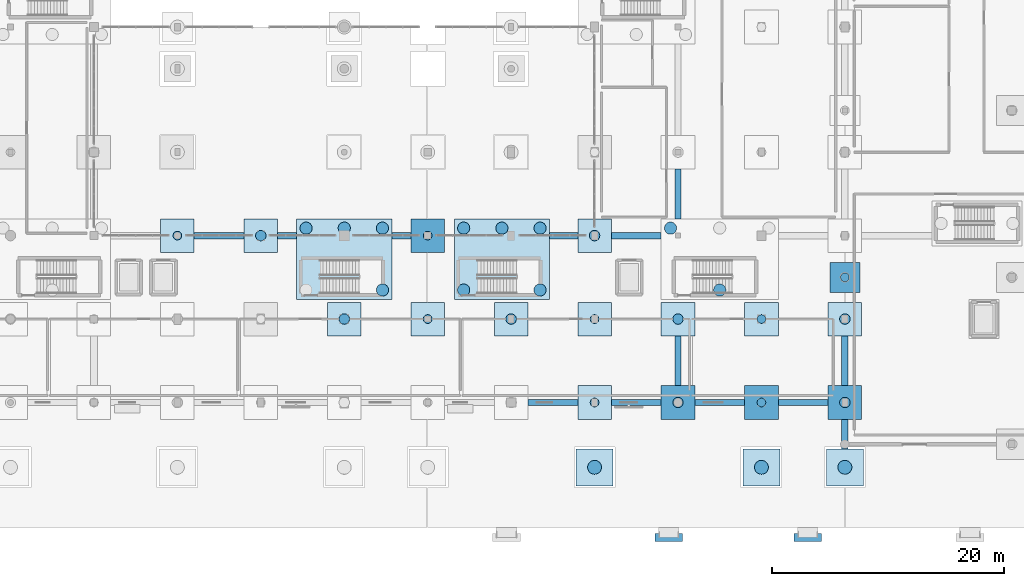
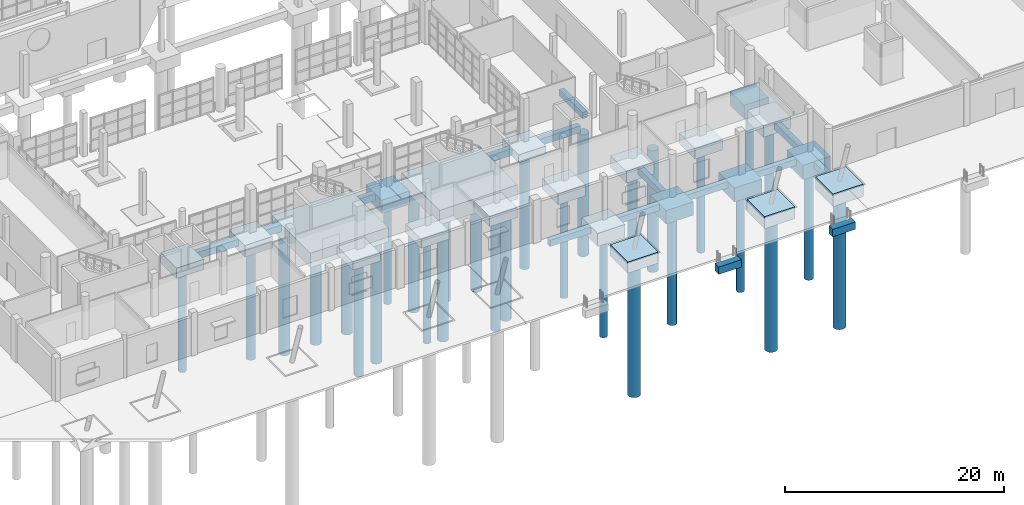
# One storey, part 6 of 285: 36 footings, 30 piles.
"""IFC4 building model written with IfcOpenShell, lengths in metres."""

from ifc_helpers import new_model, si_unit, direction, frame, origin, origin_2d, place, context, subcontext, project, spatial, polyline, circle, outline, extrude, material, material_profile, profile_set, type_object, element, save


model = new_model("IFC4")

# Units and contexts
model_context = context("Model", 3, precision=1e-05, world=origin(), true_north=direction((0.0, 1.0)))
body_context = subcontext(model_context, "Body", "Model", "MODEL_VIEW")
ifc_project = project(units=[si_unit("LENGTHUNIT", "METRE"), si_unit("AREAUNIT", "SQUARE_METRE"), si_unit("VOLUMEUNIT", "CUBIC_METRE"), si_unit("PLANEANGLEUNIT", "RADIAN"), si_unit("MASSUNIT", "GRAM", prefix="KILO")], contexts=[model_context])

# Site, building, storey
site_placement = place(None, origin())
site = spatial("IfcSite", under=ifc_project, at=site_placement, CompositionType="ELEMENT")
building_placement = place(site_placement, origin())
building = spatial("IfcBuilding", under=site, at=building_placement, Name="Solanera Park Tramway Depot", CompositionType="ELEMENT")
storey_placement = place(building_placement, origin())
storey = spatial("IfcBuildingStorey", under=building, at=storey_placement, Name="L00", CompositionType="ELEMENT", Elevation=0.0)

# Footings
ifc_material_1 = material(Name="Concrete N40 (C40/50)", Category="concrete")
footing_type_1 = type_object("IfcFootingType", Name="Bored Pile Cap PC-01 2300x2300x900", PredefinedType="PILE_CAP", material=ifc_material_1)
footing_1_placement = place(storey_placement, frame((0.0, 0.0, -1.25)))
element("IfcFooting", 1, at=footing_1_placement, inside=storey, type_object=footing_type_1, Name="Pile Cap PC-01 #036", PredefinedType="PILE_CAP", context=body_context, shape_type="SweptSolid", body=[
    extrude(outline(polyline([(145.449951171875, 16.550048828125), (145.449951171875, 19.449951171875), (142.550048828125, 19.449951171875), (142.550048828125, 16.550048828125), (145.449951171875, 16.550048828125)])), origin(), (0.0, 0.0, 1.0), 0.89990234375),
])
footing_2_placement = place(storey_placement, frame((0.0, 0.0, -1.25)))
element("IfcFooting", 2, at=footing_2_placement, inside=storey, type_object=footing_type_1, Name="Pile Cap PC-01 #054", PredefinedType="PILE_CAP", context=body_context, shape_type="SweptSolid", body=[
    extrude(outline(polyline([(167.050048828125, 23.75), (167.050048828125, 26.64990234375), (164.14990234375, 26.64990234375), (164.14990234375, 23.75), (167.050048828125, 23.75)])), origin(), (0.0, 0.0, 1.0), 0.89990234375),
])
ifc_material_2 = material(Name="Concrete N40 (C40/50)", Category="concrete")
footing_type_2 = type_object("IfcFootingType", Name="Bored Pile Cap PC-02 2600x2600x1000", PredefinedType="PILE_CAP", material=ifc_material_2)
footing_3_placement = place(storey_placement, frame((0.0, 0.0, -1.35009765625)))
element("IfcFooting", 3, at=footing_3_placement, inside=storey, type_object=footing_type_2, Name="Pile Cap PC-02 #037", PredefinedType="PILE_CAP", context=body_context, shape_type="SweptSolid", body=[
    extrude(outline(polyline([(152.64990234375, 16.550048828125), (152.64990234375, 19.449951171875), (149.75, 19.449951171875), (149.75, 16.550048828125), (152.64990234375, 16.550048828125)])), origin(), (0.0, 0.0, 1.0), 1.0),
])
ifc_material_3 = material(Name="Concrete N40 (C40/50)", Category="concrete")
footing_type_3 = type_object("IfcFootingType", Name="Bored Pile Cap PC-03 2900x2900x1100", PredefinedType="PILE_CAP", material=ifc_material_3)
footing_4_placement = place(storey_placement, frame((0.0, 0.0, -1.449951171875)))
element("IfcFooting", 4, at=footing_4_placement, inside=storey, type_object=footing_type_3, Name="Pile Cap PC-03 #038", PredefinedType="PILE_CAP", context=body_context, shape_type="SweptSolid", body=[
    extrude(outline(polyline([(159.85009765625, 16.550048828125), (159.85009765625, 19.449951171875), (156.949951171875, 19.449951171875), (156.949951171875, 16.550048828125), (159.85009765625, 16.550048828125)])), origin(), (0.0, 0.0, 1.0), 1.099853515625),
])
ifc_material_4 = material(Name="Concrete N40 (C40/50)", Category="concrete")
footing_type_4 = type_object("IfcFootingType", Name="Bored Pile Cap PC-04 3200x3200x1200", PredefinedType="PILE_CAP", material=ifc_material_4)
footing_5_placement = place(storey_placement, frame((0.0, 0.0, -1.550048828125)))
element("IfcFooting", 5, at=footing_5_placement, inside=storey, type_object=footing_type_4, Name="Pile Cap PC-04 #039", PredefinedType="PILE_CAP", context=body_context, shape_type="SweptSolid", body=[
    extrude(outline(polyline([(167.050048828125, 16.550048828125), (167.050048828125, 19.449951171875), (164.14990234375, 19.449951171875), (164.14990234375, 16.550048828125), (167.050048828125, 16.550048828125)])), origin(), (0.0, 0.0, 1.0), 1.199951171875),
])
ifc_material_5 = material(Name="Concrete N40 (C40/50)", Category="concrete")
footing_type_5 = type_object("IfcFootingType", Name="Bored Pile Cap PC-05 3500x3500x1300", PredefinedType="PILE_CAP", material=ifc_material_5)
footing_6_placement = place(storey_placement, frame((0.0, 0.0, -1.64990234375)))
element("IfcFooting", 6, at=footing_6_placement, inside=storey, type_object=footing_type_5, Name="Pile Cap PC-05 #040", PredefinedType="PILE_CAP", context=body_context, shape_type="SweptSolid", body=[
    extrude(outline(polyline([(174.25, 16.550048828125), (174.25, 19.449951171875), (171.35009765625, 19.449951171875), (171.35009765625, 16.550048828125), (174.25, 16.550048828125)])), origin(), (0.0, 0.0, 1.0), 1.2998046875),
])
ifc_material_6 = material(Name="Concrete N40 (C40/50)", Category="concrete")
footing_type_6 = type_object("IfcFootingType", Name="Bored Pile Cap PC-06 3800x2600x1150", PredefinedType="PILE_CAP", material=ifc_material_6)
footing_7_placement = place(storey_placement, frame((0.0, 0.0, -1.5)))
element("IfcFooting", 7, at=footing_7_placement, inside=storey, type_object=footing_type_6, Name="Pile Cap PC-06 #041", PredefinedType="PILE_CAP", context=body_context, shape_type="SweptSolid", body=[
    extrude(outline(polyline([(181.449951171875, 16.550048828125), (181.449951171875, 19.449951171875), (178.550048828125, 19.449951171875), (178.550048828125, 16.550048828125), (181.449951171875, 16.550048828125)])), origin(), (0.0, 0.0, 1.0), 1.14990234375),
])
ifc_material_7 = material(Name="Concrete N40 (C40/50)", Category="concrete")
footing_type_7 = type_object("IfcFootingType", Name="Bored Pile Cap PC-07 4200x2900x1250", PredefinedType="PILE_CAP", material=ifc_material_7)
footing_8_placement = place(storey_placement, frame((0.0, 0.0, -1.25)))
element("IfcFooting", 8, at=footing_8_placement, inside=storey, type_object=footing_type_7, Name="Pile Cap PC-07 #006", PredefinedType="PILE_CAP", context=body_context, shape_type="SweptSolid", body=[
    extrude(outline(polyline([(167.199951171875, 3.60693359375), (167.199951171875, 6.806884765625), (164.0, 6.806884765625), (164.0, 3.60693359375), (167.199951171875, 3.60693359375)])), origin(), (0.0, 0.0, 1.0), 1.25),
])
footing_9_placement = place(storey_placement, frame((0.0, 0.0, -1.60009765625)))
element("IfcFooting", 9, at=footing_9_placement, inside=storey, type_object=footing_type_7, Name="Pile Cap PC-07 #042", PredefinedType="PILE_CAP", context=body_context, shape_type="SweptSolid", body=[
    extrude(outline(polyline([(188.64990234375, 16.550048828125), (188.64990234375, 19.449951171875), (185.75, 19.449951171875), (185.75, 16.550048828125), (188.64990234375, 16.550048828125)])), origin(), (0.0, 0.0, 1.0), 1.25),
])
ifc_material_8 = material(Name="Concrete N40 (C40/50)", Category="concrete")
footing_type_8 = type_object("IfcFootingType", Name="Bored Pile Cap PC-08 4600x3200x1350", PredefinedType="PILE_CAP", material=ifc_material_8)
footing_10_placement = place(storey_placement, frame((0.0, 0.0, -1.35009765625)))
element("IfcFooting", 10, at=footing_10_placement, inside=storey, type_object=footing_type_8, Name="Pile Cap PC-08 #007", PredefinedType="PILE_CAP", context=body_context, shape_type="SweptSolid", body=[
    extrude(outline(polyline([(181.60009765625, 3.60693359375), (181.60009765625, 6.806884765625), (178.39990234375, 6.806884765625), (178.39990234375, 3.60693359375), (181.60009765625, 3.60693359375)])), origin(), (0.0, 0.0, 1.0), 1.35009765625),
])
ifc_material_9 = material(Name="Concrete N40 (C40/50)", Category="concrete")
footing_type_9 = type_object("IfcFootingType", Name="Bored Pile Cap PC-09 5200x3400x1400", PredefinedType="PILE_CAP", material=ifc_material_9)
footing_11_placement = place(storey_placement, frame((0.0, 0.0, -1.39990234375)))
element("IfcFooting", 11, at=footing_11_placement, inside=storey, type_object=footing_type_9, Name="Pile Cap PC-09 #008", PredefinedType="PILE_CAP", context=body_context, shape_type="SweptSolid", body=[
    extrude(outline(polyline([(188.800048828125, 3.60693359375), (188.800048828125, 6.806884765625), (185.60009765625, 6.806884765625), (185.60009765625, 3.60693359375), (188.800048828125, 3.60693359375)])), origin(), (0.0, 0.0, 1.0), 1.39990234375),
])
ifc_material_10 = material(Name="Concrete N40 (C40/50)", Category="concrete")
footing_type_10 = type_object("IfcFootingType", Name="Bored Pile Cap PC-10 5800x3800x1450", PredefinedType="PILE_CAP", material=ifc_material_10)
footing_12_placement = place(storey_placement, frame((0.0, 0.0, -1.800048828125)))
element("IfcFooting", 12, at=footing_12_placement, inside=storey, type_object=footing_type_10, Name="Pile Cap PC-10 #027", PredefinedType="PILE_CAP", context=body_context, shape_type="SweptSolid", body=[
    extrude(outline(polyline([(167.050048828125, 9.35009765625), (167.050048828125, 12.25), (164.14990234375, 12.25), (164.14990234375, 9.35009765625), (167.050048828125, 9.35009765625)])), origin(), (0.0, 0.0, 1.0), 1.449951171875),
])
ifc_material_11 = material(Name="Concrete N40 (C40/50)", Category="concrete")
footing_type_11 = type_object("IfcFootingType", Name="Bored Pile Cap PC-11 6500x4200x1500", PredefinedType="PILE_CAP", material=ifc_material_11)
footing_13_placement = place(storey_placement, frame((0.0, 0.0, -1.85009765625)))
element("IfcFooting", 13, at=footing_13_placement, inside=storey, type_object=footing_type_11, Name="Pile Cap PC-11 #028", PredefinedType="PILE_CAP", context=body_context, shape_type="SweptSolid", body=[
    extrude(outline(polyline([(174.25, 9.35009765625), (174.25, 12.25), (171.35009765625, 12.25), (171.35009765625, 9.35009765625), (174.25, 9.35009765625)])), origin(), (0.0, 0.0, 1.0), 1.5),
])
ifc_material_12 = material(Name="Concrete N40 (C40/50)", Category="concrete")
footing_type_12 = type_object("IfcFootingType", Name="Bored Pile Cap PC-12 7400x4500x1550", PredefinedType="PILE_CAP", material=ifc_material_12)
footing_14_placement = place(storey_placement, frame((0.0, 0.0, -1.89990234375)))
element("IfcFooting", 14, at=footing_14_placement, inside=storey, type_object=footing_type_12, Name="Pile Cap PC-12 #029", PredefinedType="PILE_CAP", context=body_context, shape_type="SweptSolid", body=[
    extrude(outline(polyline([(181.449951171875, 9.35009765625), (181.449951171875, 12.25), (178.550048828125, 12.25), (178.550048828125, 9.35009765625), (181.449951171875, 9.35009765625)])), origin(), (0.0, 0.0, 1.0), 1.5498046875),
])
footing_15_placement = place(storey_placement, frame((0.0, 0.0, -1.89990234375)))
element("IfcFooting", 15, at=footing_15_placement, inside=storey, type_object=footing_type_12, Name="Pile Cap PC-12 #047", PredefinedType="PILE_CAP", context=body_context, shape_type="SweptSolid", body=[
    extrude(outline(polyline([(188.5, 20.300048828125), (188.5, 22.89990234375), (185.89990234375, 22.89990234375), (185.89990234375, 20.300048828125), (188.5, 20.300048828125)])), origin(), (0.0, 0.0, 1.0), 1.5498046875),
])
ifc_material_13 = material(Name="Concrete N40 (C40/50)", Category="concrete")
footing_type_13 = type_object("IfcFootingType", Name="Bored Pile Cap PC-13 8400x4800x1600", PredefinedType="PILE_CAP", material=ifc_material_13)
footing_16_placement = place(storey_placement, frame((0.0, 0.0, -1.949951171875)))
element("IfcFooting", 16, at=footing_16_placement, inside=storey, type_object=footing_type_13, Name="Pile Cap PC-13 #030", PredefinedType="PILE_CAP", context=body_context, shape_type="SweptSolid", body=[
    extrude(outline(polyline([(188.64990234375, 9.35009765625), (188.64990234375, 12.25), (185.75, 12.25), (185.75, 9.35009765625), (188.64990234375, 9.35009765625)])), origin(), (0.0, 0.0, 1.0), 1.599853515625),
])
footing_17_placement = place(storey_placement, frame((0.0, 0.0, -1.949951171875)))
element("IfcFooting", 17, at=footing_17_placement, inside=storey, type_object=footing_type_13, Name="Pile Cap PC-13 #044", PredefinedType="PILE_CAP", context=body_context, shape_type="SweptSolid", body=[
    extrude(outline(polyline([(148.10107421875, 19.699951171875), (148.10107421875, 26.64990234375), (139.89990234375, 26.64990234375), (139.89990234375, 19.699951171875), (148.10107421875, 19.699951171875)])), origin(), (0.0, 0.0, 1.0), 1.599853515625),
])
footing_18_placement = place(storey_placement, frame((0.0, 0.0, -1.949951171875)))
element("IfcFooting", 18, at=footing_18_placement, inside=storey, type_object=footing_type_13, Name="Pile Cap PC-13 #045", PredefinedType="PILE_CAP", context=body_context, shape_type="SweptSolid", body=[
    extrude(outline(polyline([(161.700927734375, 19.699951171875), (161.700927734375, 26.64990234375), (153.5, 26.64990234375), (153.5, 19.699951171875), (161.700927734375, 19.699951171875)])), origin(), (0.0, 0.0, 1.0), 1.599853515625),
])
ifc_material_14 = material(Name="Concrete N40 (C40/50)", Category="concrete")
footing_type_14 = type_object("IfcFootingType", Name="Bored Pile Cap PC-16 3050x3050x1150", PredefinedType="PILE_CAP", material=ifc_material_14)
footing_19_placement = place(storey_placement, frame((0.0, 0.0, -1.5)))
element("IfcFooting", 19, at=footing_19_placement, inside=storey, type_object=footing_type_14, Name="Pile Cap PC-16 #051", PredefinedType="PILE_CAP", context=body_context, shape_type="SweptSolid", body=[
    extrude(outline(polyline([(131.050048828125, 23.75), (131.050048828125, 26.64990234375), (128.14990234375, 26.64990234375), (128.14990234375, 23.75), (131.050048828125, 23.75)])), origin(), (0.0, 0.0, 1.0), 1.14990234375),
])
ifc_material_15 = material(Name="Concrete N40 (C40/50)", Category="concrete")
footing_type_15 = type_object("IfcFootingType", Name="Bored Pile Cap PC-17 4900x3100x1300", PredefinedType="PILE_CAP", material=ifc_material_15)
footing_20_placement = place(storey_placement, frame((0.0, 0.0, -1.64990234375)))
element("IfcFooting", 20, at=footing_20_placement, inside=storey, type_object=footing_type_15, Name="Pile Cap PC-17 #052", PredefinedType="PILE_CAP", context=body_context, shape_type="SweptSolid", body=[
    extrude(outline(polyline([(138.25, 23.75), (138.25, 26.64990234375), (135.35009765625, 26.64990234375), (135.35009765625, 23.75), (138.25, 23.75)])), origin(), (0.0, 0.0, 1.0), 1.2998046875),
])
ifc_material_16 = material(Name="Concrete N40 (C40/50)", Category="concrete")
footing_type_16 = type_object("IfcFootingType", Name="Bored Pile Cap PC-18 6200x3900x1480", PredefinedType="PILE_CAP", material=ifc_material_16)
footing_21_placement = place(storey_placement, frame((0.0, 0.0, -1.830078125)))
element("IfcFooting", 21, at=footing_21_placement, inside=storey, type_object=footing_type_16, Name="Pile Cap PC-18 #053", PredefinedType="PILE_CAP", context=body_context, shape_type="SweptSolid", body=[
    extrude(outline(polyline([(152.64990234375, 23.75), (152.64990234375, 26.64990234375), (149.75, 26.64990234375), (149.75, 23.75), (152.64990234375, 23.75)])), origin(), (0.0, 0.0, 1.0), 1.47998046875),
])
ifc_material_17 = material(Name="Concrete N40 (C40/50)", Category="concrete")
footing_type_17 = type_object("IfcFootingType", Name="Equipment Pad Footing PF-03 2400x1800x800", PredefinedType="PAD_FOOTING", material=ifc_material_17)
footing_22_placement = place(storey_placement, frame((0.0, 0.0, -0.860107421875)))
element("IfcFooting", 22, at=footing_22_placement, inside=storey, type_object=footing_type_17, Name="Ramp Toe Pad Footing RMP-P04", PredefinedType="PAD_FOOTING", context=body_context, shape_type="SweptSolid", body=[
    extrude(outline(polyline([(170.800048828125, -1.18994140625), (173.199951171875, -1.18994140625), (173.199951171875, -0.489990234375), (170.800048828125, -0.489990234375), (170.800048828125, -1.18994140625)])), origin(), (0.0, 0.0, 1.0), 0.820068359375),
])
footing_23_placement = place(storey_placement, frame((0.0, 0.0, -0.860107421875)))
element("IfcFooting", 23, at=footing_23_placement, inside=storey, type_object=footing_type_17, Name="Ramp Toe Pad Footing RMP-P05", PredefinedType="PAD_FOOTING", context=body_context, shape_type="SweptSolid", body=[
    extrude(outline(polyline([(182.800048828125, -1.18994140625), (185.199951171875, -1.18994140625), (185.199951171875, -0.489990234375), (182.800048828125, -0.489990234375), (182.800048828125, -1.18994140625)])), origin(), (0.0, 0.0, 1.0), 0.820068359375),
])
ifc_material_18 = material(Name="Concrete N40 (C40/50)", Category="concrete")
footing_type_18 = type_object("IfcFootingType", Name="Ground Tie Beam GB-01 500x700", PredefinedType="FOOTING_BEAM", material=ifc_material_18)
footing_24_placement = place(storey_placement, frame((0.0, 0.0, -1.050048828125)))
element("IfcFooting", 24, at=footing_24_placement, inside=storey, type_object=footing_type_18, Name="Ground Tie Beam GB-01 #015", PredefinedType="FOOTING_BEAM", context=body_context, shape_type="SweptSolid", body=[
    extrude(outline(polyline([(164.14990234375, 10.550048828125), (164.14990234375, 11.050048828125), (159.85009765625, 11.050048828125), (159.85009765625, 10.550048828125), (164.14990234375, 10.550048828125)])), origin(), (0.0, 0.0, 1.0), 0.699951171875),
])
footing_25_placement = place(storey_placement, frame((0.0, 0.0, -1.050048828125)))
element("IfcFooting", 25, at=footing_25_placement, inside=storey, type_object=footing_type_18, Name="Ground Tie Beam GB-01 #016", PredefinedType="FOOTING_BEAM", context=body_context, shape_type="SweptSolid", body=[
    extrude(outline(polyline([(171.35009765625, 10.550048828125), (171.35009765625, 11.050048828125), (167.050048828125, 11.050048828125), (167.050048828125, 10.550048828125), (171.35009765625, 10.550048828125)])), origin(), (0.0, 0.0, 1.0), 0.699951171875),
])
footing_26_placement = place(storey_placement, frame((0.0, 0.0, -1.050048828125)))
element("IfcFooting", 26, at=footing_26_placement, inside=storey, type_object=footing_type_18, Name="Ground Tie Beam GB-01 #017", PredefinedType="FOOTING_BEAM", context=body_context, shape_type="SweptSolid", body=[
    extrude(outline(polyline([(178.550048828125, 10.550048828125), (178.550048828125, 11.050048828125), (174.25, 11.050048828125), (174.25, 10.550048828125), (178.550048828125, 10.550048828125)])), origin(), (0.0, 0.0, 1.0), 0.699951171875),
])
footing_27_placement = place(storey_placement, frame((0.0, 0.0, -1.050048828125)))
element("IfcFooting", 27, at=footing_27_placement, inside=storey, type_object=footing_type_18, Name="Ground Tie Beam GB-01 #018", PredefinedType="FOOTING_BEAM", context=body_context, shape_type="SweptSolid", body=[
    extrude(outline(polyline([(185.75, 10.550048828125), (185.75, 11.050048828125), (181.449951171875, 11.050048828125), (181.449951171875, 10.550048828125), (185.75, 10.550048828125)])), origin(), (0.0, 0.0, 1.0), 0.699951171875),
])
footing_28_placement = place(storey_placement, frame((0.0, 0.0, -1.050048828125)))
element("IfcFooting", 28, at=footing_28_placement, inside=storey, type_object=footing_type_18, Name="Ground Tie Beam GB-01 #134", PredefinedType="FOOTING_BEAM", context=body_context, shape_type="SweptSolid", body=[
    extrude(outline(polyline([(173.050048828125, 12.25), (173.050048828125, 16.550048828125), (172.550048828125, 16.550048828125), (172.550048828125, 12.25), (173.050048828125, 12.25)])), origin(), (0.0, 0.0, 1.0), 0.699951171875),
])
footing_29_placement = place(storey_placement, frame((0.0, 0.0, -1.050048828125)))
element("IfcFooting", 29, at=footing_29_placement, inside=storey, type_object=footing_type_18, Name="Ground Tie Beam GB-01 #135", PredefinedType="FOOTING_BEAM", context=body_context, shape_type="SweptSolid", body=[
    extrude(outline(polyline([(173.050048828125, 26.64990234375), (173.050048828125, 30.949951171875), (172.550048828125, 30.949951171875), (172.550048828125, 26.64990234375), (173.050048828125, 26.64990234375)])), origin(), (0.0, 0.0, 1.0), 0.699951171875),
])
ifc_material_19 = material(Name="Concrete N40 (C40/50)", Category="concrete")
footing_type_19 = type_object("IfcFootingType", Name="Ground Tie Beam GB-02 550x750", PredefinedType="FOOTING_BEAM", material=ifc_material_19)
footing_30_placement = place(storey_placement, frame((0.0, 0.0, -1.10009765625)))
element("IfcFooting", 30, at=footing_30_placement, inside=storey, type_object=footing_type_19, Name="Ground Tie Beam GB-02 #021", PredefinedType="FOOTING_BEAM", context=body_context, shape_type="SweptSolid", body=[
    extrude(outline(polyline([(135.35009765625, 24.925048828125), (135.35009765625, 25.47509765625), (131.050048828125, 25.47509765625), (131.050048828125, 24.925048828125), (135.35009765625, 24.925048828125)])), origin(), (0.0, 0.0, 1.0), 0.75),
])
footing_31_placement = place(storey_placement, frame((0.0, 0.0, -1.10009765625)))
element("IfcFooting", 31, at=footing_31_placement, inside=storey, type_object=footing_type_19, Name="Ground Tie Beam GB-02 #022", PredefinedType="FOOTING_BEAM", context=body_context, shape_type="SweptSolid", body=[
    extrude(outline(polyline([(139.89990234375, 24.925048828125), (139.89990234375, 25.47509765625), (138.25, 25.47509765625), (138.25, 24.925048828125), (139.89990234375, 24.925048828125)])), origin(), (0.0, 0.0, 1.0), 0.75),
])
footing_32_placement = place(storey_placement, frame((0.0, 0.0, -1.10009765625)))
element("IfcFooting", 32, at=footing_32_placement, inside=storey, type_object=footing_type_19, Name="Ground Tie Beam GB-02 #023", PredefinedType="FOOTING_BEAM", context=body_context, shape_type="SweptSolid", body=[
    extrude(outline(polyline([(149.75, 24.925048828125), (149.75, 25.47509765625), (148.10107421875, 25.47509765625), (148.10107421875, 24.925048828125), (149.75, 24.925048828125)])), origin(), (0.0, 0.0, 1.0), 0.75),
])
footing_33_placement = place(storey_placement, frame((0.0, 0.0, -1.10009765625)))
element("IfcFooting", 33, at=footing_33_placement, inside=storey, type_object=footing_type_19, Name="Ground Tie Beam GB-02 #024", PredefinedType="FOOTING_BEAM", context=body_context, shape_type="SweptSolid", body=[
    extrude(outline(polyline([(164.14990234375, 24.925048828125), (164.14990234375, 25.47509765625), (161.700927734375, 25.47509765625), (161.700927734375, 24.925048828125), (164.14990234375, 24.925048828125)])), origin(), (0.0, 0.0, 1.0), 0.75),
])
footing_34_placement = place(storey_placement, frame((0.0, 0.0, -1.10009765625)))
element("IfcFooting", 34, at=footing_34_placement, inside=storey, type_object=footing_type_19, Name="Ground Tie Beam GB-02 #025", PredefinedType="FOOTING_BEAM", context=body_context, shape_type="SweptSolid", body=[
    extrude(outline(polyline([(171.35009765625, 24.925048828125), (171.35009765625, 25.47509765625), (167.050048828125, 25.47509765625), (167.050048828125, 24.925048828125), (171.35009765625, 24.925048828125)])), origin(), (0.0, 0.0, 1.0), 0.75),
])
footing_35_placement = place(storey_placement, frame((0.0, 0.0, -1.10009765625)))
element("IfcFooting", 35, at=footing_35_placement, inside=storey, type_object=footing_type_19, Name="Ground Tie Beam GB-02 #141", PredefinedType="FOOTING_BEAM", context=body_context, shape_type="SweptSolid", body=[
    extrude(outline(polyline([(187.47509765625, 6.806884765625), (187.47509765625, 9.35009765625), (186.925048828125, 9.35009765625), (186.925048828125, 6.806884765625), (187.47509765625, 6.806884765625)])), origin(), (0.0, 0.0, 1.0), 0.75),
])
footing_36_placement = place(storey_placement, frame((0.0, 0.0, -1.10009765625)))
element("IfcFooting", 36, at=footing_36_placement, inside=storey, type_object=footing_type_19, Name="Ground Tie Beam GB-02 #142", PredefinedType="FOOTING_BEAM", context=body_context, shape_type="SweptSolid", body=[
    extrude(outline(polyline([(187.47509765625, 12.25), (187.47509765625, 16.550048828125), (186.925048828125, 16.550048828125), (186.925048828125, 12.25), (187.47509765625, 12.25)])), origin(), (0.0, 0.0, 1.0), 0.75),
])

# Piles
ifc_material_20 = material(Name="Concrete N40 (C40/50)", Category="concrete")
ifc_material_profile_1 = material_profile(ifc_material_20, circle(Radius=0.52490234375, at=origin_2d()), Name="BORED PILE 1050")
ifc_profile_set_1 = profile_set([ifc_material_profile_1], Name="Concrete N40 (C40/50)")
pile_type_1 = type_object("IfcPileType", Name="Rock Socketed BORED PILE 1050", PredefinedType="BORED", material=ifc_profile_set_1)
for number, where, z_axis, x_axis, name in (
    (37, (140.705078125, 25.844970703125, -1.85009765625), (0.0, 0.0, -1.0), (1.0, 0.0, 0.0), "Bored Pile BORED PILE 1050 #0060"),
    (38, (144.00048828125, 25.844970703125, -1.85009765625), (0.0, 0.0, -1.0), (1.0, 0.0, 0.0), "Bored Pile BORED PILE 1050 #0061"),
    (39, (147.2958984375, 20.5048828125, -1.85009765625), (0.0, 0.0, -1.0), (1.0, 0.0, 0.0), "Bored Pile BORED PILE 1050 #0062"),
    (40, (147.2958984375, 25.844970703125, -1.85009765625), (0.0, 0.0, -1.0), (1.0, 0.0, 0.0), "Bored Pile BORED PILE 1050 #0063"),
    (41, (154.304931640625, 20.5048828125, -1.85009765625), (0.0, 0.0, -1.0), (1.0, 0.0, 0.0), "Bored Pile BORED PILE 1050 #0064"),
    (42, (154.304931640625, 25.844970703125, -1.85009765625), (0.0, 0.0, -1.0), (1.0, 0.0, 0.0), "Bored Pile BORED PILE 1050 #0065"),
    (43, (157.6005859375, 25.844970703125, -1.85009765625), (0.0, 0.0, -1.0), (1.0, 0.0, 0.0), "Bored Pile BORED PILE 1050 #0066"),
    (44, (160.89599609375, 20.5048828125, -1.85009765625), (0.0, 0.0, -1.0), (1.0, 0.0, 0.0), "Bored Pile BORED PILE 1050 #0067"),
    (45, (160.89599609375, 25.844970703125, -1.85009765625), (0.0, 0.0, -1.0), (1.0, 0.0, 0.0), "Bored Pile BORED PILE 1050 #0068"),
    (46, (172.155029296875, 25.844970703125, -1.85009765625), (0.0, 0.0, -1.0), (1.0, 0.0, 0.0), "Bored Pile BORED PILE 1050 #0069"),
    (47, (176.39990234375, 20.5048828125, -1.85009765625), (0.0, 0.0, -1.0), (1.0, 0.0, 0.0), "Bored Pile BORED PILE 1050 #0070"),
):
    element("IfcPile", number, at=place(storey_placement, frame(where, z_axis=z_axis, x_axis=x_axis)), inside=storey, type_object=pile_type_1, Name=name, PredefinedType="BORED", context=body_context, shape_type="SweptSolid", body=[
        extrude(circle(Radius=0.52490234375, at=origin_2d()), origin(), (0.0, 0.0, 1.0), 13.550048828125),
    ])
ifc_material_21 = material(Name="Concrete N50 (C50/60)", Category="concrete")
ifc_material_profile_2 = material_profile(ifc_material_21, circle(Radius=0.60009765625, at=origin_2d()), Name="BORED PILE 1200")
ifc_profile_set_2 = profile_set([ifc_material_profile_2], Name="Concrete N50 (C50/60)")
pile_type_2 = type_object("IfcPileType", Name="Rock Socketed BORED PILE 1200", PredefinedType="BORED", material=ifc_profile_set_2)
pile_1_placement = place(storey_placement, frame((165.60009765625, 5.20703125, -1.14990234375), z_axis=(0.0, 0.0, -1.0), x_axis=(1.0, 0.0, 0.0)))
element("IfcPile", 48, at=pile_1_placement, inside=storey, type_object=pile_type_2, Name="Bored Pile BORED PILE 1200 #0006", PredefinedType="BORED", context=body_context, shape_type="SweptSolid", body=[
    extrude(circle(Radius=0.60009765625, at=origin_2d()), origin(), (0.0, 0.0, 1.0), 15.050048828125),
])
pile_2_placement = place(storey_placement, frame((180.0, 5.20703125, -1.25), z_axis=(0.0, 0.0, -1.0), x_axis=(1.0, 0.0, 0.0)))
element("IfcPile", 49, at=pile_2_placement, inside=storey, type_object=pile_type_2, Name="Bored Pile BORED PILE 1200 #0007", PredefinedType="BORED", context=body_context, shape_type="SweptSolid", body=[
    extrude(circle(Radius=0.60009765625, at=origin_2d()), origin(), (0.0, 0.0, 1.0), 14.949951171875),
])
pile_3_placement = place(storey_placement, frame((187.199951171875, 5.20703125, -1.300048828125), z_axis=(0.0, 0.0, -1.0), x_axis=(1.0, 0.0, 0.0)))
element("IfcPile", 50, at=pile_3_placement, inside=storey, type_object=pile_type_2, Name="Bored Pile BORED PILE 1200 #0008", PredefinedType="BORED", context=body_context, shape_type="SweptSolid", body=[
    extrude(circle(Radius=0.60009765625, at=origin_2d()), origin(), (0.0, 0.0, 1.0), 14.89990234375),
])
ifc_material_22 = material(Name="Concrete N40 (C40/50)", Category="concrete")
ifc_material_profile_3 = material_profile(ifc_material_22, circle(Radius=0.375, at=origin_2d()), Name="BORED PILE 750")
ifc_profile_set_3 = profile_set([ifc_material_profile_3], Name="Concrete N40 (C40/50)")
pile_type_3 = type_object("IfcPileType", Name="Rock Socketed BORED PILE 750", PredefinedType="BORED", material=ifc_profile_set_3)
pile_4_placement = place(storey_placement, frame((165.60009765625, 10.800048828125, -1.699951171875), z_axis=(0.0, 0.0, -1.0), x_axis=(1.0, 0.0, 0.0)))
element("IfcPile", 51, at=pile_4_placement, inside=storey, type_object=pile_type_3, Name="Bored Pile BORED PILE 750 #0039", PredefinedType="BORED", context=body_context, shape_type="SweptSolid", body=[
    extrude(circle(Radius=0.375, at=origin_2d()), origin(), (0.0, 0.0, 1.0), 11.39990234375),
])
pile_5_placement = place(storey_placement, frame((180.0, 10.800048828125, -1.800048828125), z_axis=(0.0, 0.0, -1.0), x_axis=(1.0, 0.0, 0.0)))
element("IfcPile", 52, at=pile_5_placement, inside=storey, type_object=pile_type_3, Name="Bored Pile BORED PILE 750 #0041", PredefinedType="BORED", context=body_context, shape_type="SweptSolid", body=[
    extrude(circle(Radius=0.375, at=origin_2d()), origin(), (0.0, 0.0, 1.0), 11.300048828125),
])
pile_6_placement = place(storey_placement, frame((151.199951171875, 18.0, -1.25), z_axis=(0.0, 0.0, -1.0), x_axis=(1.0, 0.0, 0.0)))
element("IfcPile", 53, at=pile_6_placement, inside=storey, type_object=pile_type_3, Name="Bored Pile BORED PILE 750 #0049", PredefinedType="BORED", context=body_context, shape_type="SweptSolid", body=[
    extrude(circle(Radius=0.375, at=origin_2d()), origin(), (0.0, 0.0, 1.0), 11.85009765625),
])
pile_7_placement = place(storey_placement, frame((165.60009765625, 18.0, -1.449951171875), z_axis=(0.0, 0.0, -1.0), x_axis=(1.0, 0.0, 0.0)))
element("IfcPile", 54, at=pile_7_placement, inside=storey, type_object=pile_type_3, Name="Bored Pile BORED PILE 750 #0051", PredefinedType="BORED", context=body_context, shape_type="SweptSolid", body=[
    extrude(circle(Radius=0.375, at=origin_2d()), origin(), (0.0, 0.0, 1.0), 11.64990234375),
])
pile_8_placement = place(storey_placement, frame((180.0, 18.0, -1.39990234375), z_axis=(0.0, 0.0, -1.0), x_axis=(1.0, 0.0, 0.0)))
element("IfcPile", 55, at=pile_8_placement, inside=storey, type_object=pile_type_3, Name="Bored Pile BORED PILE 750 #0053", PredefinedType="BORED", context=body_context, shape_type="SweptSolid", body=[
    extrude(circle(Radius=0.375, at=origin_2d()), origin(), (0.0, 0.0, 1.0), 11.699951171875),
])
pile_9_placement = place(storey_placement, frame((187.199951171875, 21.60009765625, -1.800048828125), z_axis=(0.0, 0.0, -1.0), x_axis=(1.0, 0.0, 0.0)))
element("IfcPile", 56, at=pile_9_placement, inside=storey, type_object=pile_type_3, Name="Bored Pile BORED PILE 750 #0073", PredefinedType="BORED", context=body_context, shape_type="SweptSolid", body=[
    extrude(circle(Radius=0.375, at=origin_2d()), origin(), (0.0, 0.0, 1.0), 11.300048828125),
])
pile_10_placement = place(storey_placement, frame((129.60009765625, 25.199951171875, -1.39990234375), z_axis=(0.0, 0.0, -1.0), x_axis=(1.0, 0.0, 0.0)))
element("IfcPile", 57, at=pile_10_placement, inside=storey, type_object=pile_type_3, Name="Bored Pile BORED PILE 750 #0077", PredefinedType="BORED", context=body_context, shape_type="SweptSolid", body=[
    extrude(circle(Radius=0.375, at=origin_2d()), origin(), (0.0, 0.0, 1.0), 11.699951171875),
])
pile_11_placement = place(storey_placement, frame((151.199951171875, 25.199951171875, -1.72998046875), z_axis=(0.0, 0.0, -1.0), x_axis=(1.0, 0.0, 0.0)))
element("IfcPile", 58, at=pile_11_placement, inside=storey, type_object=pile_type_3, Name="Bored Pile BORED PILE 750 #0079", PredefinedType="BORED", context=body_context, shape_type="SweptSolid", body=[
    extrude(circle(Radius=0.375, at=origin_2d()), origin(), (0.0, 0.0, 1.0), 11.3701171875),
])
ifc_material_23 = material(Name="Concrete N40 (C40/50)", Category="concrete")
ifc_material_profile_4 = material_profile(ifc_material_23, circle(Radius=0.449951171875, at=origin_2d()), Name="BORED PILE 900")
ifc_profile_set_4 = profile_set([ifc_material_profile_4], Name="Concrete N40 (C40/50)")
pile_type_4 = type_object("IfcPileType", Name="Rock Socketed BORED PILE 900", PredefinedType="BORED", material=ifc_profile_set_4)
pile_12_placement = place(storey_placement, frame((172.800048828125, 10.800048828125, -1.75), z_axis=(0.0, 0.0, -1.0), x_axis=(1.0, 0.0, 0.0)))
element("IfcPile", 59, at=pile_12_placement, inside=storey, type_object=pile_type_4, Name="Bored Pile BORED PILE 900 #0040", PredefinedType="BORED", context=body_context, shape_type="SweptSolid", body=[
    extrude(circle(Radius=0.449951171875, at=origin_2d()), origin(), (0.0, 0.0, 1.0), 12.449951171875),
])
pile_13_placement = place(storey_placement, frame((187.199951171875, 10.800048828125, -1.85009765625), z_axis=(0.0, 0.0, -1.0), x_axis=(1.0, 0.0, 0.0)))
element("IfcPile", 60, at=pile_13_placement, inside=storey, type_object=pile_type_4, Name="Bored Pile BORED PILE 900 #0042", PredefinedType="BORED", context=body_context, shape_type="SweptSolid", body=[
    extrude(circle(Radius=0.449951171875, at=origin_2d()), origin(), (0.0, 0.0, 1.0), 12.35009765625),
])
pile_14_placement = place(storey_placement, frame((144.0, 18.0, -1.14990234375), z_axis=(0.0, 0.0, -1.0), x_axis=(1.0, 0.0, 0.0)))
element("IfcPile", 61, at=pile_14_placement, inside=storey, type_object=pile_type_4, Name="Bored Pile BORED PILE 900 #0048", PredefinedType="BORED", context=body_context, shape_type="SweptSolid", body=[
    extrude(circle(Radius=0.449951171875, at=origin_2d()), origin(), (0.0, 0.0, 1.0), 13.050048828125),
])
pile_15_placement = place(storey_placement, frame((158.39990234375, 18.0, -1.35009765625), z_axis=(0.0, 0.0, -1.0), x_axis=(1.0, 0.0, 0.0)))
element("IfcPile", 62, at=pile_15_placement, inside=storey, type_object=pile_type_4, Name="Bored Pile BORED PILE 900 #0050", PredefinedType="BORED", context=body_context, shape_type="SweptSolid", body=[
    extrude(circle(Radius=0.449951171875, at=origin_2d()), origin(), (0.0, 0.0, 1.0), 12.85009765625),
])
pile_16_placement = place(storey_placement, frame((172.800048828125, 18.0, -1.550048828125), z_axis=(0.0, 0.0, -1.0), x_axis=(1.0, 0.0, 0.0)))
element("IfcPile", 63, at=pile_16_placement, inside=storey, type_object=pile_type_4, Name="Bored Pile BORED PILE 900 #0052", PredefinedType="BORED", context=body_context, shape_type="SweptSolid", body=[
    extrude(circle(Radius=0.449951171875, at=origin_2d()), origin(), (0.0, 0.0, 1.0), 12.64990234375),
])
pile_17_placement = place(storey_placement, frame((187.199951171875, 18.0, -1.5), z_axis=(0.0, 0.0, -1.0), x_axis=(1.0, 0.0, 0.0)))
element("IfcPile", 64, at=pile_17_placement, inside=storey, type_object=pile_type_4, Name="Bored Pile BORED PILE 900 #0054", PredefinedType="BORED", context=body_context, shape_type="SweptSolid", body=[
    extrude(circle(Radius=0.449951171875, at=origin_2d()), origin(), (0.0, 0.0, 1.0), 12.699951171875),
])
pile_18_placement = place(storey_placement, frame((136.800048828125, 25.199951171875, -1.550048828125), z_axis=(0.0, 0.0, -1.0), x_axis=(1.0, 0.0, 0.0)))
element("IfcPile", 65, at=pile_18_placement, inside=storey, type_object=pile_type_4, Name="Bored Pile BORED PILE 900 #0078", PredefinedType="BORED", context=body_context, shape_type="SweptSolid", body=[
    extrude(circle(Radius=0.449951171875, at=origin_2d()), origin(), (0.0, 0.0, 1.0), 12.64990234375),
])
pile_19_placement = place(storey_placement, frame((165.60009765625, 25.199951171875, -1.14990234375), z_axis=(0.0, 0.0, -1.0), x_axis=(1.0, 0.0, 0.0)))
element("IfcPile", 66, at=pile_19_placement, inside=storey, type_object=pile_type_4, Name="Bored Pile BORED PILE 900 #0080", PredefinedType="BORED", context=body_context, shape_type="SweptSolid", body=[
    extrude(circle(Radius=0.449951171875, at=origin_2d()), origin(), (0.0, 0.0, 1.0), 13.050048828125),
])

save(model, "model.ifc")
